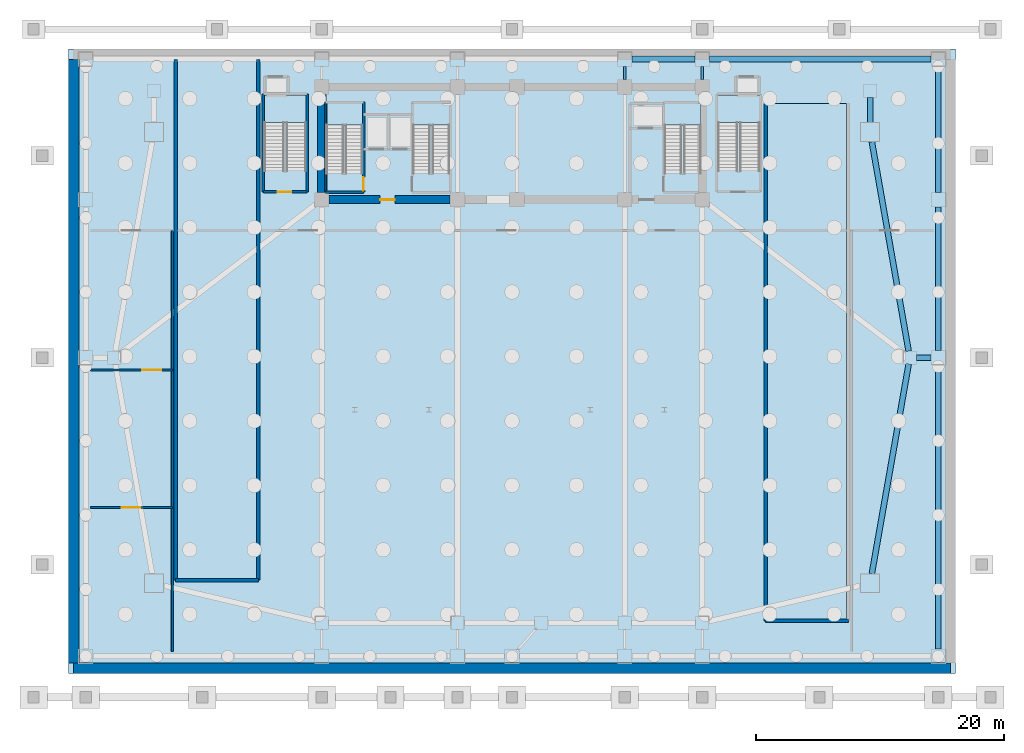
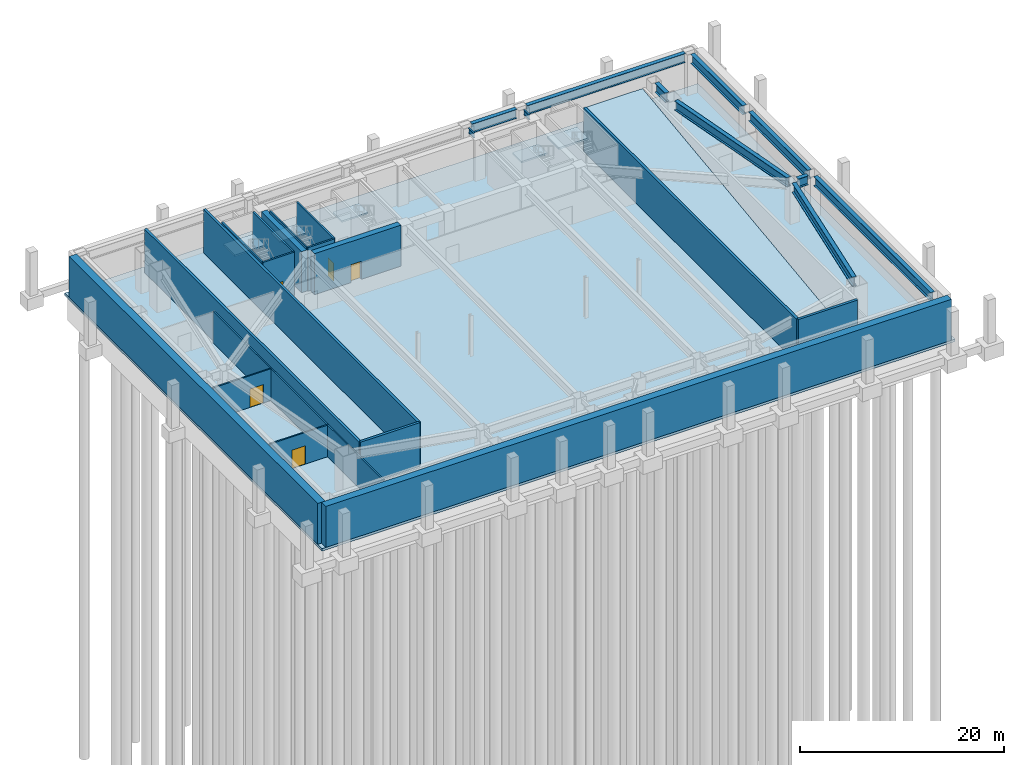
# One storey, part 5 of 10: 18 walls, 11 beams, 7 slabs, 5 doors, 5 openings, 5 elements without a shape of their own.
"""IFC4 building model written with IfcOpenShell, lengths in metres."""

from ifc_helpers import new_model, si_unit, direction, frame, frame_2d, origin, origin_2d, place, context, subcontext, project, spatial, polyline, rectangle, i_section, outline, extrude, source, transform, mapped, material, layer, layer_set, material_profile, profile_set, type_object, element, fill, aggregate, save


model = new_model("IFC4")

# Units and contexts
model_context = context("Model", 3, precision=1e-05, world=origin(), true_north=direction((0.0, 1.0)))
body_context = subcontext(model_context, "Body", "Model", "MODEL_VIEW")
ifc_project = project(units=[si_unit("LENGTHUNIT", "METRE"), si_unit("AREAUNIT", "SQUARE_METRE"), si_unit("VOLUMEUNIT", "CUBIC_METRE"), si_unit("PLANEANGLEUNIT", "RADIAN"), si_unit("MASSUNIT", "GRAM", prefix="KILO")], contexts=[model_context])

# Site, building, storey
site_placement = place(None, origin())
site = spatial("IfcSite", under=ifc_project, at=site_placement, CompositionType="ELEMENT")
building_placement = place(site_placement, origin())
building = spatial("IfcBuilding", under=site, at=building_placement, Name="Giltprow Tower", CompositionType="ELEMENT")
storey_placement = place(building_placement, frame((0.0, 0.0, -10.39990234375)))
storey = spatial("IfcBuildingStorey", under=building, at=storey_placement, Name="B02", CompositionType="ELEMENT", Elevation=-10.39990234375)

# Beams
ifc_material_1 = material(Name="Structural steel Q420GJC", Category="steel")
ifc_material_profile_1 = material_profile(ifc_material_1, i_section(OverallWidth=0.449951171875, OverallDepth=1.10009765625, WebThickness=0.02587890625, FlangeThickness=0.0419921875, at=origin_2d()), Name="WH 1100x450x26x42")
ifc_profile_set_1 = profile_set([ifc_material_profile_1], Name="Structural steel Q420GJC")
beam_type_1 = type_object("IfcBeamType", Name="BM-GIRD-WH1100", PredefinedType="BEAM", material=ifc_profile_set_1)
shared_shape_1 = source(origin(), body_context, "Body", "SweptSolid", [
    extrude(i_section(OverallWidth=0.449951171875, OverallDepth=1.10009765625, WebThickness=0.02587890625, FlangeThickness=0.0419921875, at=origin_2d()), origin(), (0.0, 0.0, 1.0), 17.8798828125),
])
beam_1_placement = place(storey_placement, frame((51.135009765625, 48.800048828125, 4.349853515625), z_axis=(1.0, 0.0, 0.0), x_axis=(0.0, 1.0, 0.0)))
element("IfcBeam", 1, at=beam_1_placement, inside=storey, type_object=beam_type_1, Name="B02 Podium North Edge Girder", PredefinedType="BEAM", context=body_context, shape_type="MappedRepresentation", body=[
    mapped(shared_shape_1, transform((0.0, 0.0, 0.0), x_axis=(1.0, 0.0, 0.0), y_axis=(0.0, 1.0, 0.0), z_axis=(0.0, 0.0, 1.0), scale=1.0)),
])
shared_shape_2 = source(origin(), body_context, "Body", "SweptSolid", [
    extrude(i_section(OverallWidth=0.449951171875, OverallDepth=1.10009765625, WebThickness=0.02587890625, FlangeThickness=0.0419921875, at=origin_2d()), origin(), (0.0, 0.0, 1.0), 5.080078125),
])
beam_2_placement = place(storey_placement, frame((44.885009765625, 48.800048828125, 4.349853515625), z_axis=(1.0, 0.0, 0.0), x_axis=(0.0, 1.0, 0.0)))
element("IfcBeam", 2, at=beam_2_placement, inside=storey, type_object=beam_type_1, Name="B02 Podium North Edge Girder", PredefinedType="BEAM", context=body_context, shape_type="MappedRepresentation", body=[
    mapped(shared_shape_2, transform((0.0, 0.0, 0.0), x_axis=(1.0, 0.0, 0.0), y_axis=(0.0, 1.0, 0.0), z_axis=(0.0, 0.0, 1.0), scale=1.0)),
])
shared_shape_3 = source(origin(), body_context, "Body", "SweptSolid", [
    extrude(i_section(OverallWidth=0.449951171875, OverallDepth=1.10009765625, WebThickness=0.02587890625, FlangeThickness=0.0419921875, at=origin_2d()), origin(), (0.0, 0.0, 1.0), 22.929931640625),
])
beam_3_placement = place(storey_placement, frame((69.60009765625, 1.18505859375, 4.349853515625), z_axis=(0.0, 1.0, 0.0), x_axis=(-1.0, 0.0, 0.0)))
element("IfcBeam", 3, at=beam_3_placement, inside=storey, type_object=beam_type_1, Name="B02 Podium Side Girder", PredefinedType="BEAM", context=body_context, shape_type="MappedRepresentation", body=[
    mapped(shared_shape_3, transform((0.0, 0.0, 0.0), x_axis=(1.0, 0.0, 0.0), y_axis=(0.0, 1.0, 0.0), z_axis=(0.0, 0.0, 1.0), scale=1.0)),
])
shared_shape_4 = source(origin(), body_context, "Body", "SweptSolid", [
    extrude(i_section(OverallWidth=0.449951171875, OverallDepth=1.10009765625, WebThickness=0.02587890625, FlangeThickness=0.0419921875, at=origin_2d()), origin(), (0.0, 0.0, 1.0), 11.580078125),
])
beam_4_placement = place(storey_placement, frame((69.60009765625, 25.284912109375, 4.349853515625), z_axis=(0.0, 1.0, 0.0), x_axis=(-1.0, 0.0, 0.0)))
element("IfcBeam", 4, at=beam_4_placement, inside=storey, type_object=beam_type_1, Name="B02 Podium Side Girder", PredefinedType="BEAM", context=body_context, shape_type="MappedRepresentation", body=[
    mapped(shared_shape_4, transform((0.0, 0.0, 0.0), x_axis=(1.0, 0.0, 0.0), y_axis=(0.0, 1.0, 0.0), z_axis=(0.0, 0.0, 1.0), scale=1.0)),
])
shared_shape_5 = source(origin(), body_context, "Body", "SweptSolid", [
    extrude(i_section(OverallWidth=0.449951171875, OverallDepth=1.10009765625, WebThickness=0.02587890625, FlangeThickness=0.0419921875, at=origin_2d()), origin(), (0.0, 0.0, 1.0), 10.18017578125),
])
beam_5_placement = place(storey_placement, frame((69.60009765625, 38.034912109375, 4.349853515625), z_axis=(0.0, 1.0, 0.0), x_axis=(-1.0, 0.0, 0.0)))
element("IfcBeam", 5, at=beam_5_placement, inside=storey, type_object=beam_type_1, Name="B02 Podium Side Girder", PredefinedType="BEAM", context=body_context, shape_type="MappedRepresentation", body=[
    mapped(shared_shape_5, transform((0.0, 0.0, 0.0), x_axis=(1.0, 0.0, 0.0), y_axis=(0.0, 1.0, 0.0), z_axis=(0.0, 0.0, 1.0), scale=1.0)),
])
shared_shape_6 = source(origin(), body_context, "Body", "SweptSolid", [
    extrude(i_section(OverallWidth=0.449951171875, OverallDepth=1.10009765625, WebThickness=0.02587890625, FlangeThickness=0.0419921875, at=origin_2d()), origin(), (0.0, 0.0, 1.0), 17.1591796875),
])
beam_6_placement = place(storey_placement, frame((64.236083984375, 7.27294921875, 4.349853515625), z_axis=(0.173139216532, 0.984897360997, 0.0), x_axis=(-0.984897360997, 0.173139216532, 0.0)))
element("IfcBeam", 6, at=beam_6_placement, inside=storey, type_object=beam_type_1, Name="B02 Tower Base Ring Girder 7", PredefinedType="BEAM", context=body_context, shape_type="MappedRepresentation", body=[
    mapped(shared_shape_6, transform((0.0, 0.0, 0.0), x_axis=(1.0, 0.0, 0.0), y_axis=(0.0, 1.0, 0.0), z_axis=(0.0, 0.0, 1.0), scale=1.0)),
])
shared_shape_7 = source(origin(), body_context, "Body", "SweptSolid", [
    extrude(i_section(OverallWidth=0.449951171875, OverallDepth=1.10009765625, WebThickness=0.02587890625, FlangeThickness=0.0419921875, at=origin_2d()), origin(), (0.0, 0.0, 1.0), 17.158935546875),
])
beam_7_placement = place(storey_placement, frame((67.20703125, 25.22705078125, 4.349853515625), z_axis=(-0.173141642767, 0.984896934476, 0.0), x_axis=(-0.984896934476, -0.173141642767, 0.0)))
element("IfcBeam", 7, at=beam_7_placement, inside=storey, type_object=beam_type_1, Name="B02 Tower Base Ring Girder 8", PredefinedType="BEAM", context=body_context, shape_type="MappedRepresentation", body=[
    mapped(shared_shape_7, transform((0.0, 0.0, 0.0), x_axis=(1.0, 0.0, 0.0), y_axis=(0.0, 1.0, 0.0), z_axis=(0.0, 0.0, 1.0), scale=1.0)),
])
shared_shape_8 = source(origin(), body_context, "Body", "SweptSolid", [
    extrude(i_section(OverallWidth=0.449951171875, OverallDepth=1.10009765625, WebThickness=0.02587890625, FlangeThickness=0.0419921875, at=origin_2d()), origin(), (0.0, 0.0, 1.0), 2.030029296875),
])
beam_8_placement = place(storey_placement, frame((64.10009765625, 43.68505859375, 4.349853515625), z_axis=(0.0, 1.0, 0.0), x_axis=(-1.0, 0.0, 0.0)))
element("IfcBeam", 8, at=beam_8_placement, inside=storey, type_object=beam_type_1, Name="B02 Tower Base Ring Girder 9", PredefinedType="BEAM", context=body_context, shape_type="MappedRepresentation", body=[
    mapped(shared_shape_8, transform((0.0, 0.0, 0.0), x_axis=(1.0, 0.0, 0.0), y_axis=(0.0, 1.0, 0.0), z_axis=(0.0, 0.0, 1.0), scale=1.0)),
])
ifc_material_2 = material(Name="Structural steel Q355B", Category="steel")
ifc_material_profile_2 = material_profile(ifc_material_2, i_section(OverallWidth=0.199951171875, OverallDepth=0.60009765625, WebThickness=0.010986328125, FlangeThickness=0.01708984375, at=origin_2d()), Name="HN 600x200x11x17")
ifc_profile_set_2 = profile_set([ifc_material_profile_2], Name="Structural steel Q355B")
beam_type_2 = type_object("IfcBeamType", Name="BM-GIRD-HN600", PredefinedType="BEAM", material=ifc_profile_set_2)
shared_shape_9 = source(origin(), body_context, "Body", "SweptSolid", [
    extrude(i_section(OverallWidth=0.199951171875, OverallDepth=0.60009765625, WebThickness=0.010986328125, FlangeThickness=0.01708984375, at=origin_2d()), origin(), (0.0, 0.0, 1.0), 1.080078125),
])
for number, where, z_axis, x_axis, name in (
    (9, (44.300048828125, 47.135009765625, 4.599853515625), (0.0, 1.0, 0.0), (-1.0, 0.0, 0.0), "B02 North Perimeter Tie S3"),
    (10, (50.550048828125, 47.135009765625, 4.599853515625), (0.0, 1.0, 0.0), (-1.0, 0.0, 0.0), "B02 North Perimeter Tie S4"),
):
    element("IfcBeam", number, at=place(storey_placement, frame(where, z_axis=z_axis, x_axis=x_axis)), inside=storey, type_object=beam_type_2, Name=name, PredefinedType="BEAM", context=body_context, shape_type="MappedRepresentation", body=[
        mapped(shared_shape_9, transform((0.0, 0.0, 0.0), x_axis=(1.0, 0.0, 0.0), y_axis=(0.0, 1.0, 0.0), z_axis=(0.0, 0.0, 1.0), scale=1.0)),
    ])
shared_shape_10 = source(origin(), body_context, "Body", "SweptSolid", [
    extrude(i_section(OverallWidth=0.449951171875, OverallDepth=1.10009765625, WebThickness=0.02587890625, FlangeThickness=0.0419921875, at=origin_2d()), origin(), (0.0, 0.0, 1.0), 1.179931640625),
])
beam_9_placement = place(storey_placement, frame((67.8349609375, 24.699951171875, 4.349853515625), z_axis=(1.0, 0.0, 0.0), x_axis=(0.0, 1.0, 0.0)))
element("IfcBeam", 11, at=beam_9_placement, inside=storey, type_object=beam_type_1, Name="B02 East Tie 1", PredefinedType="BEAM", context=body_context, shape_type="MappedRepresentation", body=[
    mapped(shared_shape_10, transform((0.0, 0.0, 0.0), x_axis=(1.0, 0.0, 0.0), y_axis=(0.0, 1.0, 0.0), z_axis=(0.0, 0.0, 1.0), scale=1.0)),
])

# Slabs
ifc_material_3 = material(Name="Concrete C40", Category="concrete")
ifc_layer_1 = layer(ifc_material_3, 0.300048828125, Name="Concrete C40")
ifc_layer_set_1 = layer_set([ifc_layer_1], Name="Concrete C40")
slab_type_1 = type_object("IfcSlabType", Name="SLB-BASE-300", PredefinedType="BASESLAB", material=ifc_layer_set_1)
slab_1_placement = place(storey_placement, frame((0.0, 0.0, -0.300048828125)))
element("IfcSlab", 12, at=slab_1_placement, inside=storey, type_object=slab_type_1, Name="B02 Structural Composite Floor Slab", PredefinedType="BASESLAB", context=body_context, shape_type="SweptSolid", body=[
    extrude(outline(polyline([(-0.60009765625, -0.800048828125), (71.0, -0.800048828125), (71.0, 49.60009765625), (-0.60009765625, 49.60009765625), (-0.60009765625, -0.800048828125)])), origin(), (0.0, 0.0, 1.0), 0.300048828125),
])
ifc_material_4 = material(Name="Concrete C45", Category="concrete")
ifc_layer_2 = layer(ifc_material_4, 0.239990234375, Name="Concrete C45")
ifc_layer_set_2 = layer_set([ifc_layer_2], Name="Concrete C45")
slab_type_2 = type_object("IfcSlabType", Name="SLB-VRMP-240-C45", PredefinedType="FLOOR", material=ifc_layer_set_2)
slab_2_placement = place(storey_placement, frame((55.800048828125, 3.60009765625, -0.06005859375), z_axis=(0.0, -0.124034017855, 0.992277966305), x_axis=(1.0, 0.0, 0.0)))
element("IfcSlab", 13, at=slab_2_placement, inside=storey, type_object=slab_type_2, Name="Car Park Structural Vehicle Ramp Slab B02-B01", PredefinedType="FLOOR", context=body_context, shape_type="SweptSolid", body=[
    extrude(outline(polyline([(0.0, 0.0), (6.39990234375, 0.0), (6.39990234375, 41.92358888157528), (0.0, 41.92358888157528), (0.0, 0.0)])), origin(), (0.0, 0.0, -1.0), 0.239990234375),
])

# Stair, slab
stair_type_1 = type_object("IfcStairType", Name="STR-ST-1", PredefinedType="HALF_TURN_STAIR", material=ifc_material_3)
stair_1_placement = place(storey_placement, origin())
stair_1 = element("IfcStair", 14, at=stair_1_placement, inside=storey, type_object=stair_type_1, Name="B02 Core Exit Stair ST-1", PredefinedType="HALF_TURN_STAIR")
ifc_layer_3 = layer(ifc_material_3, 0.179931640625, Name="Concrete C40")
ifc_layer_set_3 = layer_set([ifc_layer_3], Name="Concrete C40")
slab_type_3 = type_object("IfcSlabType", Name="SLD-ST-1", PredefinedType="LANDING", material=ifc_layer_set_3)
slab_3_placement = place(storey_placement, frame((0.0, 0.0, 2.419921875)))
slab_3 = element("IfcSlab", 15, at=slab_3_placement, type_object=slab_type_3, Name="ST-1 landing 1", PredefinedType="LANDING", context=body_context, shape_type="SweptSolid", body=[
    extrude(outline(polyline([(23.159912109375, 43.469970703125), (23.159912109375, 45.25), (20.199951171875, 45.25), (20.199951171875, 43.469970703125), (23.159912109375, 43.469970703125)])), origin(), (0.0, 0.0, 1.0), 0.179931640625),
])
aggregate(stair_1, [slab_3])

stair_type_2 = type_object("IfcStairType", Name="STR-ST-2", PredefinedType="HALF_TURN_STAIR", material=ifc_material_3)
stair_2_placement = place(storey_placement, origin())
stair_2 = element("IfcStair", 16, at=stair_2_placement, inside=storey, type_object=stair_type_2, Name="B02 Core Exit Stair ST-2", PredefinedType="HALF_TURN_STAIR")
ifc_layer_4 = layer(ifc_material_3, 0.18798828125, Name="Concrete C40")
ifc_layer_set_4 = layer_set([ifc_layer_4], Name="Concrete C40")
slab_type_4 = type_object("IfcSlabType", Name="SLD-ST-2", PredefinedType="LANDING", material=ifc_layer_set_4)
slab_4_placement = place(storey_placement, frame((0.0, 0.0, 2.411865234375)))
slab_4 = element("IfcSlab", 17, at=slab_4_placement, type_object=slab_type_4, Name="ST-2 landing 1", PredefinedType="LANDING", context=body_context, shape_type="SweptSolid", body=[
    extrude(outline(polyline([(30.159912109375, 43.469970703125), (30.159912109375, 45.25), (27.199951171875, 45.25), (27.199951171875, 43.469970703125), (30.159912109375, 43.469970703125)])), origin(), (0.0, 0.0, 1.0), 0.18798828125),
])
aggregate(stair_2, [slab_4])

stair_type_3 = type_object("IfcStairType", Name="STR-ST-3", PredefinedType="HALF_TURN_STAIR", material=ifc_material_3)
stair_3_placement = place(storey_placement, origin())
stair_3 = element("IfcStair", 18, at=stair_3_placement, inside=storey, type_object=stair_type_3, Name="B02 Core Exit Stair ST-3", PredefinedType="HALF_TURN_STAIR")
ifc_layer_5 = layer(ifc_material_3, 0.196044921875, Name="Concrete C40")
ifc_layer_set_5 = layer_set([ifc_layer_5], Name="Concrete C40")
slab_type_5 = type_object("IfcSlabType", Name="SLD-ST-3", PredefinedType="LANDING", material=ifc_layer_set_5)
slab_5_placement = place(storey_placement, frame((0.0, 0.0, 2.40380859375)))
slab_5 = element("IfcSlab", 19, at=slab_5_placement, type_object=slab_type_5, Name="ST-3 landing 1", PredefinedType="LANDING", context=body_context, shape_type="SweptSolid", body=[
    extrude(outline(polyline([(50.4599609375, 43.469970703125), (50.4599609375, 45.25), (47.5, 45.25), (47.5, 43.469970703125), (50.4599609375, 43.469970703125)])), origin(), (0.0, 0.0, 1.0), 0.196044921875),
])
aggregate(stair_3, [slab_5])

stair_type_4 = type_object("IfcStairType", Name="STR-ST-P1", PredefinedType="HALF_TURN_STAIR", material=ifc_material_3)
stair_4_placement = place(storey_placement, origin())
stair_4 = element("IfcStair", 20, at=stair_4_placement, inside=storey, type_object=stair_type_4, Name="B02 Podium Exit Stair ST-P1", PredefinedType="HALF_TURN_STAIR")
ifc_layer_6 = layer(ifc_material_3, 0.2041015625, Name="Concrete C40")
ifc_layer_set_6 = layer_set([ifc_layer_6], Name="Concrete C40")
slab_type_6 = type_object("IfcSlabType", Name="SLD-ST-P1", PredefinedType="LANDING", material=ifc_layer_set_6)
slab_6_placement = place(storey_placement, frame((0.0, 0.0, 2.39599609375)))
slab_6 = element("IfcSlab", 21, at=slab_6_placement, type_object=slab_type_6, Name="ST-P1 landing 1", PredefinedType="LANDING", context=body_context, shape_type="SweptSolid", body=[
    extrude(outline(polyline([(18.60009765625, 43.669921875), (18.60009765625, 45.89990234375), (15.199951171875, 45.89990234375), (15.199951171875, 43.669921875), (18.60009765625, 43.669921875)])), origin(), (0.0, 0.0, 1.0), 0.203857421875),
])
aggregate(stair_4, [slab_6])

stair_type_5 = type_object("IfcStairType", Name="STR-ST-P2", PredefinedType="HALF_TURN_STAIR", material=ifc_material_3)
stair_5_placement = place(storey_placement, origin())
stair_5 = element("IfcStair", 22, at=stair_5_placement, inside=storey, type_object=stair_type_5, Name="B02 Podium Exit Stair ST-P2", PredefinedType="HALF_TURN_STAIR")
ifc_layer_7 = layer(ifc_material_3, 0.2119140625, Name="Concrete C40")
ifc_layer_set_7 = layer_set([ifc_layer_7], Name="Concrete C40")
slab_type_7 = type_object("IfcSlabType", Name="SLD-ST-P2", PredefinedType="LANDING", material=ifc_layer_set_7)
slab_7_placement = place(storey_placement, frame((0.0, 0.0, 2.387939453125)))
slab_7 = element("IfcSlab", 23, at=slab_7_placement, type_object=slab_type_7, Name="ST-P2 landing 1", PredefinedType="LANDING", context=body_context, shape_type="SweptSolid", body=[
    extrude(outline(polyline([(55.199951171875, 43.669921875), (55.199951171875, 45.89990234375), (51.800048828125, 45.89990234375), (51.800048828125, 43.669921875), (55.199951171875, 43.669921875)])), origin(), (0.0, 0.0, 1.0), 0.2119140625),
])
aggregate(stair_5, [slab_7])

# Wall
ifc_material_5 = material(Name="Gypsum stud partition", Category="gypsum")
ifc_layer_8 = layer(ifc_material_5, 0.159912109375, Name="Gypsum stud partition")
ifc_layer_set_8 = layer_set([ifc_layer_8], Name="Gypsum stud partition")
wall_type_1 = type_object("IfcWallType", Name="IW-DEMISE-160", PredefinedType="PARTITIONING", material=ifc_layer_set_8)
wall_1_placement = place(storey_placement, frame((7.800048828125, 1.0, 0.0), z_axis=(0.0, 0.0, 1.0), x_axis=(0.0, 1.0, 0.0)))
element("IfcWall", 24, at=wall_1_placement, inside=storey, type_object=wall_type_1, Name="B02 West MEP Plant Wall", PredefinedType="PARTITIONING", context=body_context, shape_type="SweptSolid", body=[
    extrude(rectangle(XDim=33.949951171875, YDim=0.159912109375, at=frame_2d((16.97509765625, 0.0))), origin(), (0.0, 0.0, 1.0), 3.784912109375),
])

# Wall, opening, door
wall_2_placement = place(storey_placement, frame((1.199951171875, 12.60009765625, 0.0), z_axis=(0.0, 0.0, 1.0), x_axis=(1.0, 0.0, 0.0)))
wall_2 = element("IfcWall", 25, at=wall_2_placement, inside=storey, type_object=wall_type_1, Name="B02 Plant Divider 1", PredefinedType="PARTITIONING", context=body_context, shape_type="SweptSolid", body=[
    extrude(rectangle(XDim=6.60009765625, YDim=0.159912109375, at=frame_2d((3.300048828125, 0.0))), origin(), (0.0, 0.0, 1.0), 3.784912109375),
])
opening_1_placement = place(wall_2_placement, frame((2.5, 0.0, 0.0)))
opening_1 = element("IfcOpeningElement", 26, at=opening_1_placement, cuts=wall_2, Name="Opening ID25", PredefinedType="OPENING", context=body_context, shape_type="SweptSolid", body=[
    extrude(rectangle(XDim=1.5, YDim=2.199951171875, at=frame_2d((0.75, 1.10009765625))), frame((0.0, 0.08984375, 0.0), z_axis=(0.0, -1.0, 0.0), x_axis=(1.0, 0.0, 0.0)), (0.0, 0.0, 1.0), 0.179931640625),
])
ifc_material_6 = material(Name="Steel fire leaf", Category="steel")
door_type_1 = type_object("IfcDoorType", Name="DR-PLANT-1500", OperationType="DOUBLE_SWING_LEFT", PredefinedType="DOOR", material=ifc_material_6)
shared_shape_11 = source(origin(), body_context, "Body", "SweptSolid", [
    extrude(rectangle(XDim=1.5, YDim=2.199951171875, at=frame_2d((0.75, 1.10009765625))), frame((0.0, 0.02490234375, 0.0), z_axis=(0.0, -1.0, 0.0), x_axis=(1.0, 0.0, 0.0)), (0.0, 0.0, 1.0), 0.050048828125),
])
door_1_placement = place(opening_1_placement, origin())
door_1 = element("IfcDoor", 27, at=door_1_placement, inside=storey, type_object=door_type_1, Name="B02 District Chiller Plant Room Connecting Door", OperationType="DOUBLE_SWING_LEFT", OverallHeight=2.199951171875, OverallWidth=1.5, PredefinedType="DOOR", context=body_context, shape_type="MappedRepresentation", body=[
    mapped(shared_shape_11, transform((0.0, 0.0, 0.0), x_axis=(1.0, 0.0, 0.0), y_axis=(0.0, 1.0, 0.0), z_axis=(0.0, 0.0, 1.0), scale=1.0)),
])
fill(opening_1, door_1)

wall_3_placement = place(storey_placement, frame((1.199951171875, 23.699951171875, 0.0), z_axis=(0.0, 0.0, 1.0), x_axis=(1.0, 0.0, 0.0)))
wall_3 = element("IfcWall", 28, at=wall_3_placement, inside=storey, type_object=wall_type_1, Name="B02 Plant Divider 2", PredefinedType="PARTITIONING", context=body_context, shape_type="SweptSolid", body=[
    extrude(rectangle(XDim=6.60009765625, YDim=0.159912109375, at=frame_2d((3.300048828125, 0.0))), origin(), (0.0, 0.0, 1.0), 3.784912109375),
])
opening_2_placement = place(wall_3_placement, frame((4.179931640625, 0.0, 0.0)))
opening_2 = element("IfcOpeningElement", 29, at=opening_2_placement, cuts=wall_3, Name="Opening ID25", PredefinedType="OPENING", context=body_context, shape_type="SweptSolid", body=[
    extrude(rectangle(XDim=1.5, YDim=2.199951171875, at=frame_2d((0.75, 1.10009765625))), frame((0.0, 0.08984375, 0.0), z_axis=(0.0, -1.0, 0.0), x_axis=(1.0, 0.0, 0.0)), (0.0, 0.0, 1.0), 0.179931640625),
])
door_2_placement = place(opening_2_placement, origin())
door_2 = element("IfcDoor", 30, at=door_2_placement, inside=storey, type_object=door_type_1, Name="B02 20kV Dual-Feed High-Voltage Substation Connecting Door", OperationType="DOUBLE_SWING_LEFT", OverallHeight=2.199951171875, OverallWidth=1.5, PredefinedType="DOOR", context=body_context, shape_type="MappedRepresentation", body=[
    mapped(shared_shape_11, transform((0.0, 0.0, 0.0), x_axis=(1.0, 0.0, 0.0), y_axis=(0.0, 1.0, 0.0), z_axis=(0.0, 0.0, 1.0), scale=1.0)),
])
fill(opening_2, door_2)

# Wall
ifc_layer_9 = layer(ifc_material_4, 0.139892578125, Name="Concrete C45")
ifc_layer_set_9 = layer_set([ifc_layer_9], Name="Concrete C45")
wall_type_2 = type_object("IfcWallType", Name="IW-STAIR-140", PredefinedType="SOLIDWALL", material=ifc_layer_set_9)
wall_4_placement = place(storey_placement, frame((20.169921875, 38.070068359375, 0.0), z_axis=(0.0, 0.0, 1.0), x_axis=(0.0, 1.0, 0.0)))
element("IfcWall", 31, at=wall_4_placement, inside=storey, type_object=wall_type_2, Name="B02 Stair ST-1 West Bearing Wall", PredefinedType="SOLIDWALL", context=body_context, shape_type="SweptSolid", body=[
    extrude(rectangle(XDim=7.25, YDim=0.139892578125, at=frame_2d((3.625, 0.0))), origin(), (0.0, 0.0, 1.0), 5.199951171875),
])

# Wall, opening, door
ifc_layer_10 = layer(ifc_material_3, 0.199951171875, Name="Concrete C40")
ifc_layer_set_10 = layer_set([ifc_layer_10], Name="Concrete C40")
wall_type_3 = type_object("IfcWallType", Name="IW-STAIR-200", PredefinedType="SOLIDWALL", material=ifc_layer_set_10)
wall_5_placement = place(storey_placement, frame((23.219970703125, 38.070068359375, 0.0), z_axis=(0.0, 0.0, 1.0), x_axis=(0.0, 1.0, 0.0)))
wall_5 = element("IfcWall", 32, at=wall_5_placement, inside=storey, type_object=wall_type_3, Name="B02 Stair ST-1 East Bearing Wall", PredefinedType="SOLIDWALL", context=body_context, shape_type="SweptSolid", body=[
    extrude(rectangle(XDim=7.25, YDim=0.199951171875, at=frame_2d((3.625, 0.0))), origin(), (0.0, 0.0, 1.0), 5.199951171875),
])
opening_3_placement = place(wall_5_placement, frame((0.110107421875, 0.0, 0.0)))
opening_3 = element("IfcOpeningElement", 33, at=opening_3_placement, cuts=wall_5, Name="Opening ID33", PredefinedType="OPENING", context=body_context, shape_type="SweptSolid", body=[
    extrude(rectangle(XDim=1.10009765625, YDim=2.14990234375, at=frame_2d((0.550048828125, 1.074951171875))), frame((0.0, 0.10986328125, 0.0), z_axis=(0.0, -1.0, 0.0), x_axis=(1.0, 0.0, 0.0)), (0.0, 0.0, 1.0), 0.219970703125),
])
door_type_2 = type_object("IfcDoorType", Name="DR-STAIR-1100", OperationType="SINGLE_SWING_LEFT", PredefinedType="DOOR", material=ifc_material_6)
shared_shape_12 = source(origin(), body_context, "Body", "SweptSolid", [
    extrude(rectangle(XDim=1.10009765625, YDim=2.14990234375, at=frame_2d((0.550048828125, 1.074951171875))), frame((0.0, 0.02490234375, 0.0), z_axis=(0.0, -1.0, 0.0), x_axis=(1.0, 0.0, 0.0)), (0.0, 0.0, 1.0), 0.050048828125),
])
door_3_placement = place(opening_3_placement, origin())
door_3 = element("IfcDoor", 34, at=door_3_placement, inside=storey, type_object=door_type_2, Name="B02 Stair ST-1 Fire Door", OperationType="SINGLE_SWING_LEFT", OverallHeight=2.14990234375, OverallWidth=1.10009765625, PredefinedType="DOOR", context=body_context, shape_type="MappedRepresentation", body=[
    mapped(shared_shape_12, transform((0.0, 0.0, 0.0), x_axis=(1.0, 0.0, 0.0), y_axis=(0.0, 1.0, 0.0), z_axis=(0.0, 0.0, 1.0), scale=1.0)),
])
fill(opening_3, door_3)

# Walls
wall_6_placement = place(storey_placement, frame((20.169921875, 38.070068359375, 0.0), z_axis=(0.0, 0.0, 1.0), x_axis=(1.0, 0.0, 0.0)))
element("IfcWall", 35, at=wall_6_placement, inside=storey, type_object=wall_type_3, Name="B02 Stair ST-1 South Bearing Wall", PredefinedType="SOLIDWALL", context=body_context, shape_type="SweptSolid", body=[
    extrude(rectangle(XDim=3.050048828125, YDim=0.199951171875, at=frame_2d((1.52490234375, 0.0))), origin(), (0.0, 0.0, 1.0), 5.199951171875),
])
for number, where, z_axis, x_axis, name in (
    (36, (15.139892578125, 38.080078125, 0.0), (0.0, 0.0, 1.0), (0.0, 1.0, 0.0), "B02 Podium Stair ST-P1 West Bearing Wall"),
    (37, (18.659912109375, 38.080078125, 0.0), (0.0, 0.0, 1.0), (0.0, 1.0, 0.0), "B02 Podium Stair ST-P1 East Bearing Wall"),
):
    element("IfcWall", number, at=place(storey_placement, frame(where, z_axis=z_axis, x_axis=x_axis)), inside=storey, type_object=wall_type_3, Name=name, PredefinedType="SOLIDWALL", context=body_context, shape_type="SweptSolid", body=[
        extrude(rectangle(XDim=7.89990234375, YDim=0.199951171875, at=frame_2d((3.949951171875, 0.0))), origin(), (0.0, 0.0, 1.0), 5.199951171875),
    ])

# Wall, opening, door
wall_7_placement = place(storey_placement, frame((15.139892578125, 38.080078125, 0.0), z_axis=(0.0, 0.0, 1.0), x_axis=(1.0, 0.0, 0.0)))
wall_7 = element("IfcWall", 38, at=wall_7_placement, inside=storey, type_object=wall_type_3, Name="B02 Podium Stair ST-P1 South Bearing Wall", PredefinedType="SOLIDWALL", context=body_context, shape_type="SweptSolid", body=[
    extrude(rectangle(XDim=3.52001953125, YDim=0.199951171875, at=frame_2d((1.760009765625, 0.0))), origin(), (0.0, 0.0, 1.0), 5.199951171875),
])
opening_4_placement = place(wall_7_placement, frame((1.14990234375, 0.0, 0.0)))
opening_4 = element("IfcOpeningElement", 39, at=opening_4_placement, cuts=wall_7, Name="Opening ID33", PredefinedType="OPENING", context=body_context, shape_type="SweptSolid", body=[
    extrude(rectangle(XDim=1.10009765625, YDim=2.14990234375, at=frame_2d((0.550048828125, 1.074951171875))), frame((0.0, 0.10986328125, 0.0), z_axis=(0.0, -1.0, 0.0), x_axis=(1.0, 0.0, 0.0)), (0.0, 0.0, 1.0), 0.219970703125),
])
door_4_placement = place(opening_4_placement, origin())
door_4 = element("IfcDoor", 40, at=door_4_placement, inside=storey, type_object=door_type_2, Name="B02 Podium Stair ST-P1 Door", OperationType="SINGLE_SWING_RIGHT", OverallHeight=2.14990234375, OverallWidth=1.10009765625, PredefinedType="DOOR", context=body_context, shape_type="MappedRepresentation", body=[
    mapped(shared_shape_12, transform((0.0, 0.0, 0.0), x_axis=(1.0, 0.0, 0.0), y_axis=(0.0, 1.0, 0.0), z_axis=(0.0, 0.0, 1.0), scale=1.0)),
])
fill(opening_4, door_4)

# Walls
ifc_layer_11 = layer(ifc_material_4, 0.85009765625, Name="Concrete C45")
ifc_layer_set_11 = layer_set([ifc_layer_11], Name="Concrete C45")
wall_type_4 = type_object("IfcWallType", Name="RW-DIAPHRAGM-850", PredefinedType="USERDEFINED", material=ifc_layer_set_11)
wall_8_placement = place(storey_placement, frame((-0.175048828125, -0.375, 0.0), z_axis=(0.0, 0.0, 1.0), x_axis=(1.0, 0.0, 0.0)))
element("IfcWall", 41, at=wall_8_placement, inside=storey, type_object=wall_type_4, Name="B02 Diaphragm Retaining Wall S", ObjectType="RETAININGWALL", PredefinedType="USERDEFINED", context=body_context, shape_type="SweptSolid", body=[
    extrude(rectangle(XDim=70.75, YDim=0.85009765625, at=frame_2d((35.375, 0.0))), origin(), (0.0, 0.0, 1.0), 4.89990234375),
])
wall_9_placement = place(storey_placement, frame((-0.175048828125, 0.050048828125, 0.0), z_axis=(0.0, 0.0, 1.0), x_axis=(0.0, 1.0, 0.0)))
element("IfcWall", 42, at=wall_9_placement, inside=storey, type_object=wall_type_4, Name="B02 Diaphragm Retaining Wall W", ObjectType="RETAININGWALL", PredefinedType="USERDEFINED", context=body_context, shape_type="SweptSolid", body=[
    extrude(rectangle(XDim=48.699951171875, YDim=0.85009765625, at=frame_2d((24.35009765625, 0.0))), origin(), (0.0, 0.0, 1.0), 4.89990234375),
])

# Wall, opening, door
ifc_material_7 = material(Name="Concrete C60", Category="concrete")
ifc_layer_12 = layer(ifc_material_7, 0.64990234375, Name="Concrete C60")
ifc_layer_set_12 = layer_set([ifc_layer_12], Name="Concrete C60")
wall_type_5 = type_object("IfcWallType", Name="SW-INT-650-C60", PredefinedType="SHEAR", material=ifc_layer_set_12)
wall_10_placement = place(storey_placement, frame((20.449951171875, 37.449951171875, 0.0), z_axis=(0.0, 0.0, 1.0), x_axis=(1.0, 0.0, 0.0)))
wall_10 = element("IfcWall", 43, at=wall_10_placement, inside=storey, type_object=wall_type_5, Name="B02 South Rear Core Shear Wall West", PredefinedType="SHEAR", context=body_context, shape_type="SweptSolid", body=[
    extrude(rectangle(XDim=9.75, YDim=0.64990234375, at=frame_2d((4.875, 0.0))), origin(), (0.0, 0.0, 1.0), 4.89990234375),
])
opening_5_placement = place(wall_10_placement, frame((4.10009765625, 0.0, 0.0)))
opening_5 = element("IfcOpeningElement", 44, at=opening_5_placement, cuts=wall_10, Name="Opening ID19", PredefinedType="OPENING", context=body_context, shape_type="SweptSolid", body=[
    extrude(rectangle(XDim=1.199951171875, YDim=2.14990234375, at=frame_2d((0.60009765625, 1.074951171875))), frame((0.0, 0.3349609375, 0.0), z_axis=(0.0, -1.0, 0.0), x_axis=(1.0, 0.0, 0.0)), (0.0, 0.0, 1.0), 0.669921875),
])
door_type_3 = type_object("IfcDoorType", Name="DR-FFLOBBY-1200", OperationType="SINGLE_SWING_RIGHT", PredefinedType="DOOR", material=ifc_material_6)
shared_shape_13 = source(origin(), body_context, "Body", "SweptSolid", [
    extrude(rectangle(XDim=1.199951171875, YDim=2.14990234375, at=frame_2d((0.60009765625, 1.074951171875))), frame((0.0, 0.02490234375, 0.0), z_axis=(0.0, -1.0, 0.0), x_axis=(1.0, 0.0, 0.0)), (0.0, 0.0, 1.0), 0.050048828125),
])
door_5_placement = place(opening_5_placement, origin())
door_5 = element("IfcDoor", 45, at=door_5_placement, inside=storey, type_object=door_type_3, Name="B02 West Firefighting Lobby Entry Door", OperationType="SINGLE_SWING_RIGHT", OverallHeight=2.14990234375, OverallWidth=1.199951171875, PredefinedType="DOOR", context=body_context, shape_type="MappedRepresentation", body=[
    mapped(shared_shape_13, transform((0.0, 0.0, 0.0), x_axis=(1.0, 0.0, 0.0), y_axis=(0.0, 1.0, 0.0), z_axis=(0.0, 0.0, 1.0), scale=1.0)),
])
fill(opening_5, door_5)

# Walls
wall_11_placement = place(storey_placement, frame((19.85009765625, 38.050048828125, 0.0), z_axis=(0.0, 0.0, 1.0), x_axis=(0.0, 1.0, 0.0)))
element("IfcWall", 46, at=wall_11_placement, inside=storey, type_object=wall_type_5, Name="B02 W Rear Core Shear Wall", PredefinedType="SHEAR", context=body_context, shape_type="SweptSolid", body=[
    extrude(rectangle(XDim=7.89990234375, YDim=0.64990234375, at=frame_2d((3.949951171875, 0.0))), origin(), (0.0, 0.0, 1.0), 4.89990234375),
])
ifc_layer_13 = layer(ifc_material_3, 0.280029296875, Name="Concrete C40")
ifc_layer_set_13 = layer_set([ifc_layer_13], Name="Concrete C40")
wall_type_6 = type_object("IfcWallType", Name="WL-RAMP-SHAFT-280", PredefinedType="SOLIDWALL", material=ifc_layer_set_13)
wall_12_placement = place(storey_placement, frame((55.659912109375, 3.4599609375, 0.0), z_axis=(0.0, 0.0, 1.0), x_axis=(0.0, 1.0, 0.0)))
element("IfcWall", 47, at=wall_12_placement, inside=storey, type_object=wall_type_6, Name="B02 East Ramp Bearing Wall W", PredefinedType="SOLIDWALL", context=body_context, shape_type="SweptSolid", body=[
    extrude(rectangle(XDim=41.739990234375, YDim=0.280029296875, at=frame_2d((20.8701171875, 0.0))), origin(), (0.0, 0.0, 1.0), 5.199951171875),
])
wall_13_placement = place(storey_placement, frame((55.659912109375, 3.4599609375, 0.0), z_axis=(0.0, 0.0, 1.0), x_axis=(1.0, 0.0, 0.0)))
element("IfcWall", 48, at=wall_13_placement, inside=storey, type_object=wall_type_6, Name="B02 East Ramp End Bearing Wall S", PredefinedType="SOLIDWALL", context=body_context, shape_type="SweptSolid", body=[
    extrude(rectangle(XDim=6.68017578125, YDim=0.280029296875, at=frame_2d((3.340087890625, 0.0))), origin(), (0.0, 0.0, 1.0), 5.199951171875),
])
wall_14_placement = place(storey_placement, frame((8.06005859375, 6.760009765625, 0.0), z_axis=(0.0, 0.0, 1.0), x_axis=(1.0, 0.0, 0.0)))
element("IfcWall", 49, at=wall_14_placement, inside=storey, type_object=wall_type_6, Name="B02 Ramp Base Support Wall", PredefinedType="SOLIDWALL", context=body_context, shape_type="SweptSolid", body=[
    extrude(rectangle(XDim=6.679931640625, YDim=0.280029296875, at=frame_2d((3.33984375, 0.0))), origin(), (0.0, 0.0, 1.0), 5.199951171875),
])
for number, where, z_axis, x_axis, name in (
    (50, (8.06005859375, 6.760009765625, 0.0), (0.0, 0.0, 1.0), (0.0, 1.0, 0.0), "B02 West Ramp Under-Shaft Wall W"),
    (51, (14.739990234375, 6.760009765625, 0.0), (0.0, 0.0, 1.0), (0.0, 1.0, 0.0), "B02 West Ramp Under-Shaft Wall E"),
):
    element("IfcWall", number, at=place(storey_placement, frame(where, z_axis=z_axis, x_axis=x_axis)), inside=storey, type_object=wall_type_6, Name=name, PredefinedType="SOLIDWALL", context=body_context, shape_type="SweptSolid", body=[
        extrude(rectangle(XDim=42.0, YDim=0.280029296875, at=frame_2d((21.0, 0.0))), origin(), (0.0, 0.0, 1.0), 5.199951171875),
    ])

save(model, "model.ifc")
